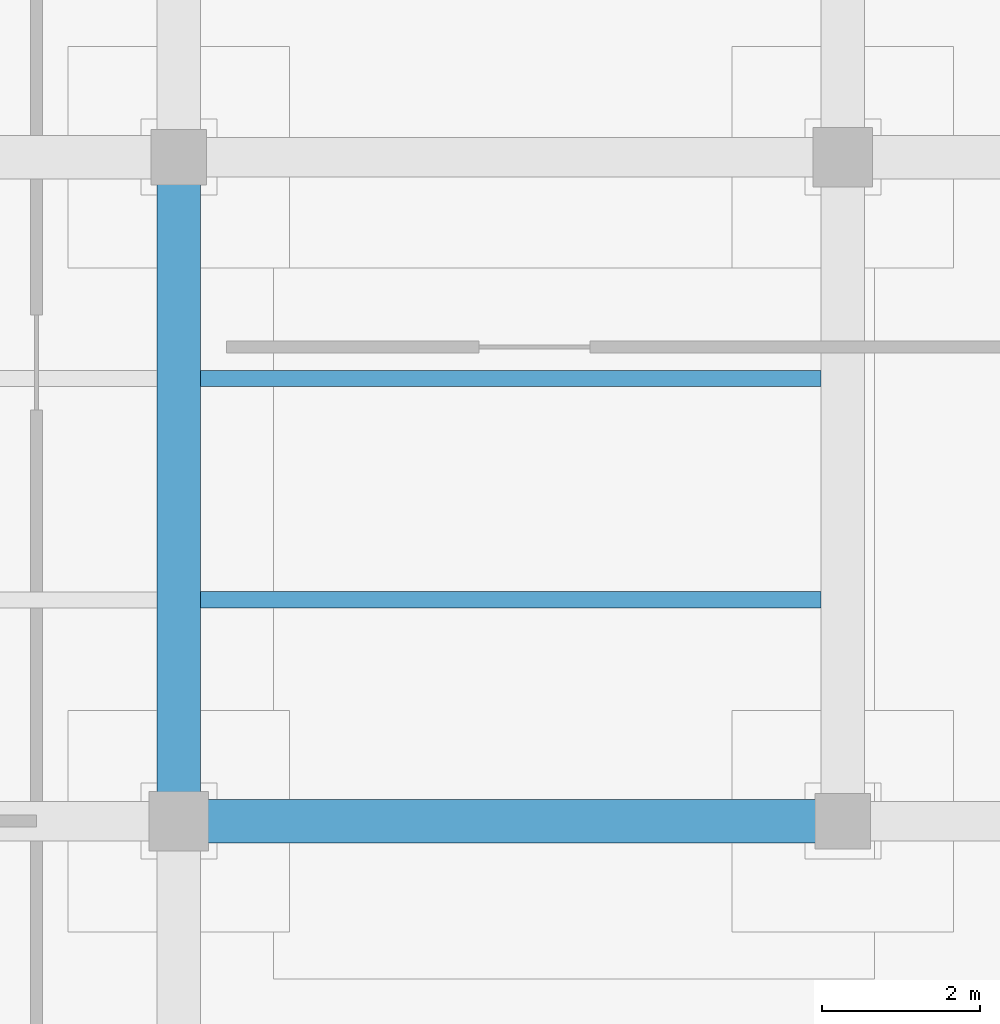
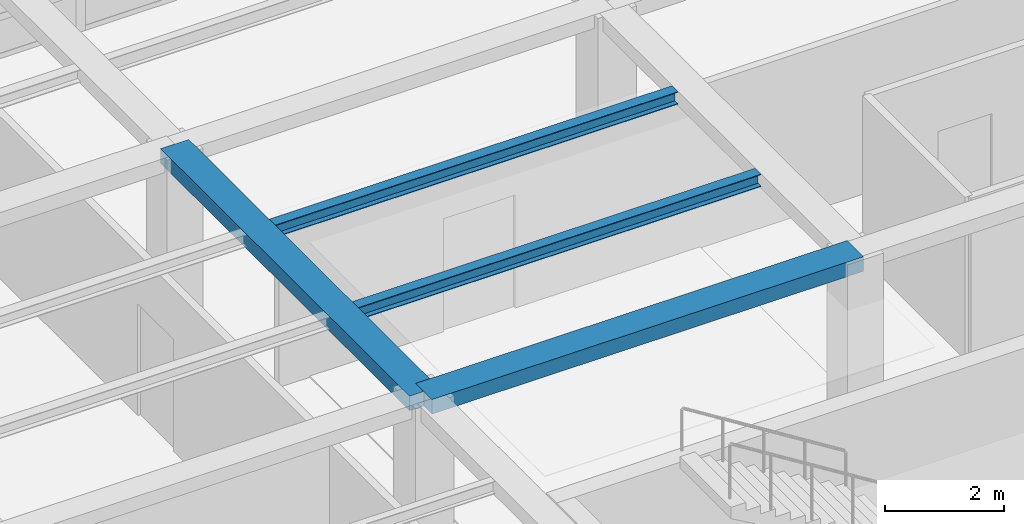
# One storey, part 7 of 26: 4 beams.
"""IFC4 building model written with IfcOpenShell, lengths in metres."""

from ifc_helpers import new_model, si_unit, direction, frame, origin, origin_2d, place, context, subcontext, project, spatial, rectangle, i_section, extrude, material, material_profile, profile_set, type_object, element, save


model = new_model("IFC4")

# Units and contexts
model_context = context("Model", 3, precision=1e-05, world=origin(), true_north=direction((0.0, 1.0)))
body_context = subcontext(model_context, "Body", "Model", "MODEL_VIEW")
ifc_project = project(units=[si_unit("LENGTHUNIT", "METRE"), si_unit("AREAUNIT", "SQUARE_METRE"), si_unit("VOLUMEUNIT", "CUBIC_METRE"), si_unit("PLANEANGLEUNIT", "RADIAN"), si_unit("MASSUNIT", "GRAM", prefix="KILO")], contexts=[model_context])

# Site, building, storey
site_placement = place(None, origin())
site = spatial("IfcSite", under=ifc_project, at=site_placement, CompositionType="ELEMENT")
building_placement = place(site_placement, origin())
building = spatial("IfcBuilding", under=site, at=building_placement, Name="Almacenes y Pasaje Nevantli", CompositionType="ELEMENT")
storey_placement = place(building_placement, frame((0.0, 0.0, 38.699951171875)))
storey = spatial("IfcBuildingStorey", under=building, at=storey_placement, Name="L09", CompositionType="ELEMENT", Elevation=38.699951171875)

# Beams
ifc_material_1 = material(Name="Concrete C35/45", Category="concrete")
ifc_material_profile_1 = material_profile(ifc_material_1, rectangle(XDim=0.550048828125, YDim=0.300048828125, at=origin_2d()), Name="RC-BM-550x300")
ifc_profile_set_1 = profile_set([ifc_material_profile_1], Name="Concrete C35/45")
beam_type_1 = type_object("IfcBeamType", Name="BM-RC-550x300", PredefinedType="BEAM", material=ifc_profile_set_1)
for number, where, z_axis, x_axis, name in (
    (1, (117.60009765625, 84.0, 3.570068359375), (1.0, 0.0, 0.0), (0.0, 1.0, 0.0), "L09 East-West Reinforced Concrete Beam #3754"),
    (2, (117.60009765625, 84.0, 3.570068359375), (0.0, 1.0, 0.0), (-1.0, 0.0, 0.0), "L09 North-South Reinforced Concrete Beam #3777"),
):
    element("IfcBeam", number, at=place(storey_placement, frame(where, z_axis=z_axis, x_axis=x_axis)), inside=storey, type_object=beam_type_1, Name=name, PredefinedType="BEAM", context=body_context, shape_type="SweptSolid", body=[
        extrude(rectangle(XDim=0.550048828125, YDim=0.300048828125, at=origin_2d()), origin(), (0.0, 0.0, 1.0), 8.39990234375),
    ])
ifc_material_2 = material(Name="Steel ASTM A992", Category="steel")
ifc_material_profile_2 = material_profile(ifc_material_2, i_section(OverallWidth=0.2041015625, OverallDepth=0.258056640625, WebThickness=0.008056640625, FlangeThickness=0.013427734375, at=origin_2d()), Name="IR 254x58.0")
ifc_profile_set_2 = profile_set([ifc_material_profile_2], Name="Steel ASTM A992")
beam_type_2 = type_object("IfcBeamType", Name="BM-STL-IR-254x58p0", PredefinedType="JOIST", material=ifc_profile_set_2)
for number, where, z_axis, x_axis, name in (
    (3, (117.875, 86.800048828125, 3.5830078125), (1.0, 0.0, 0.0), (0.0, 1.0, 0.0), "L09 Secondary Steel Floor Joist #1463"),
    (4, (117.875, 89.60009765625, 3.5830078125), (1.0, 0.0, 0.0), (0.0, 1.0, 0.0), "L09 Secondary Steel Floor Joist #1464"),
):
    element("IfcBeam", number, at=place(storey_placement, frame(where, z_axis=z_axis, x_axis=x_axis)), inside=storey, type_object=beam_type_2, Name=name, PredefinedType="JOIST", context=body_context, shape_type="SweptSolid", body=[
        extrude(i_section(OverallWidth=0.2041015625, OverallDepth=0.258056640625, WebThickness=0.008056640625, FlangeThickness=0.013427734375, at=origin_2d()), origin(), (0.0, 0.0, 1.0), 7.85009765625),
    ])

save(model, "model.ifc")
